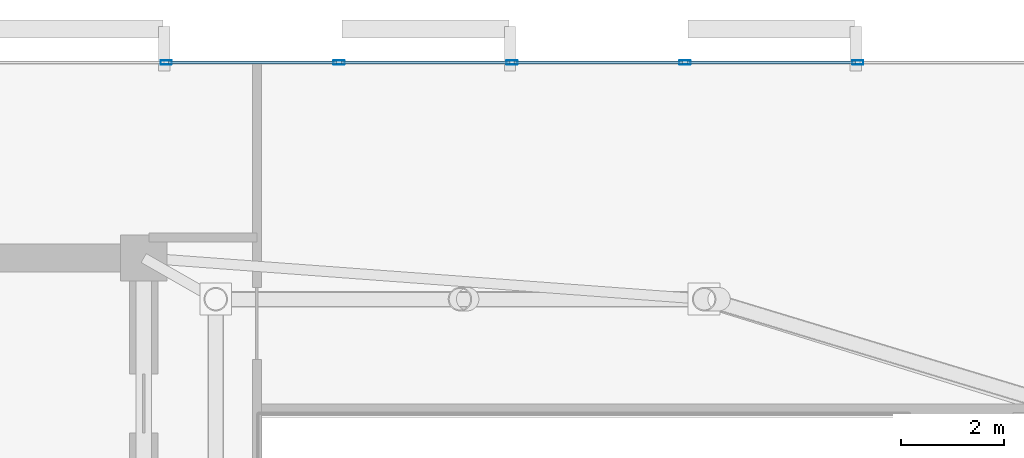
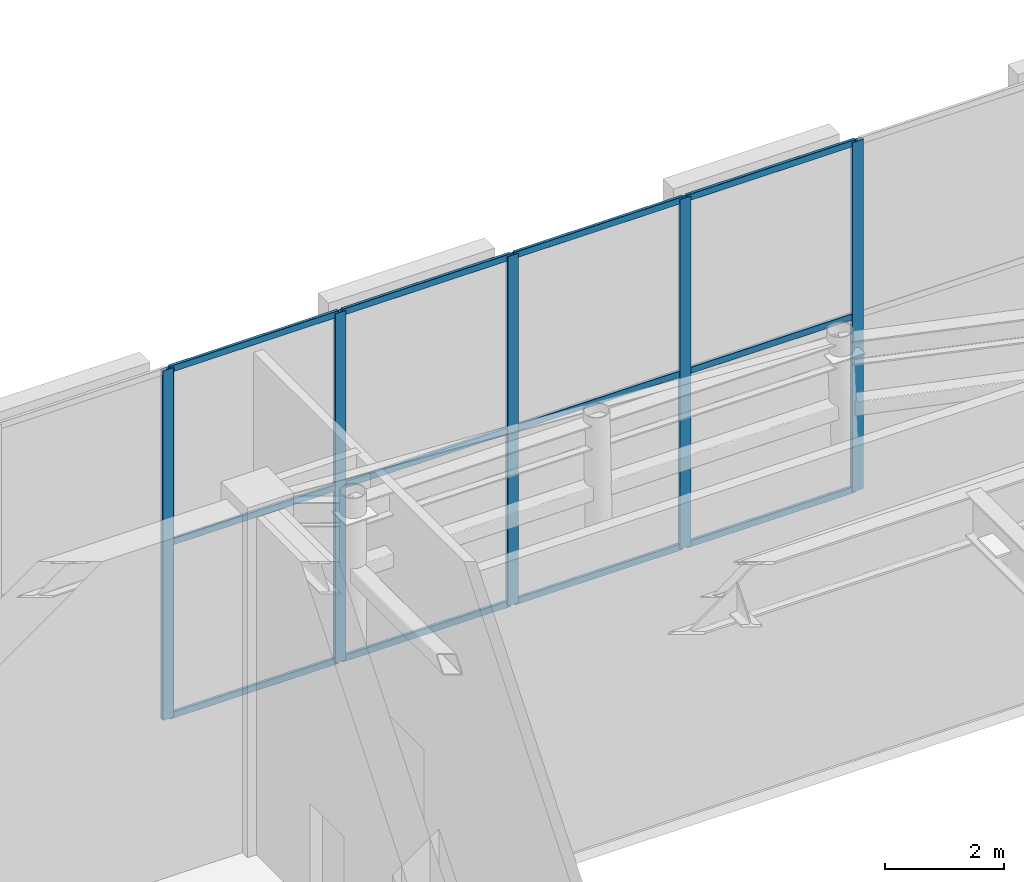
# One storey, part 10 of 20: 17 members, 1 element without a shape of its own.
"""IFC4 building model written with IfcOpenShell, lengths in metres."""

from ifc_helpers import new_model, si_unit, direction, frame, origin, origin_2d, place, context, subcontext, project, spatial, hollow_rectangle, extrude, material, layer, layer_set, material_profile, profile_set, type_object, element, aggregate, save


model = new_model("IFC4")

# Units and contexts
model_context = context("Model", 3, precision=1e-05, world=origin(), true_north=direction((0.0, 1.0)))
body_context = subcontext(model_context, "Body", "Model", "MODEL_VIEW")
ifc_project = project(units=[si_unit("LENGTHUNIT", "METRE"), si_unit("AREAUNIT", "SQUARE_METRE"), si_unit("VOLUMEUNIT", "CUBIC_METRE"), si_unit("PLANEANGLEUNIT", "RADIAN"), si_unit("MASSUNIT", "GRAM", prefix="KILO")], contexts=[model_context])

# Site, building, storey
site_placement = place(None, origin())
site = spatial("IfcSite", under=ifc_project, at=site_placement, CompositionType="ELEMENT")
building_placement = place(site_placement, origin())
building = spatial("IfcBuilding", under=site, at=building_placement, Name="An Khanh Terracotta Commons", CompositionType="ELEMENT")
storey_placement = place(building_placement, frame((0.0, 0.0, 308.0)))
storey = spatial("IfcBuildingStorey", under=building, at=storey_placement, Name="L79 Crown Damper Gallery", CompositionType="ELEMENT", Elevation=308.0)

# Curtain wall, members
ifc_material = material(Name="Anodised Aluminium 6063-T6", Category="aluminium")
ifc_layer = layer(ifc_material, 0.25, Name="Anodised Aluminium 6063-T6")
ifc_layer_set = layer_set([ifc_layer], Name="Anodised Aluminium 6063-T6")
curtain_wall_type = type_object("IfcCurtainWallType", Name="CW-SYS-05", PredefinedType="USERDEFINED", material=ifc_layer_set)
curtain_wall_placement = place(storey_placement, origin())
curtain_wall = element("IfcCurtainWall", 1, at=curtain_wall_placement, inside=storey, type_object=curtain_wall_type, Name="L79 Crown Damper Gallery CW-05 Unitised Curtain Wall CW-L79-20", ObjectType="UNITISED CURTAIN WALL", PredefinedType="USERDEFINED")
ifc_material_profile_1 = material_profile(ifc_material, hollow_rectangle(XDim=0.080078125, YDim=0.219970703125, WallThickness=0.0048828125, InnerFilletRadius=0.0048828125, OuterFilletRadius=0.010009765625, at=origin_2d()), Name="RHS220x80x5")
ifc_profile_set_1 = profile_set([ifc_material_profile_1], Name="Anodised Aluminium 6063-T6")
member_type_1 = type_object("IfcMemberType", Name="CWM-RHS220x80x5", PredefinedType="MULLION", material=ifc_profile_set_1)
member_1_placement = place(storey_placement, frame((51.0751953125, 37.39990234375, 0.0), z_axis=(0.0, 0.0, 1.0), x_axis=(0.0, -1.0, 0.0)))
member_1 = element("IfcMember", 2, at=member_1_placement, type_object=member_type_1, Name="CW-05 mullion 3", PredefinedType="MULLION", context=body_context, shape_type="SweptSolid", body=[
    extrude(hollow_rectangle(XDim=0.080078125, YDim=0.219970703125, WallThickness=0.0048828125, InnerFilletRadius=0.0048828125, OuterFilletRadius=0.010009765625, at=origin_2d()), origin(), (0.0, 0.0, 1.0), 7.199951171875),
])
member_2_placement = place(storey_placement, frame((47.7158203125, 37.39990234375, 0.0), z_axis=(0.0, 0.0, 1.0), x_axis=(0.0, -1.0, 0.0)))
member_2 = element("IfcMember", 3, at=member_2_placement, type_object=member_type_1, Name="CW-05 mullion 4", PredefinedType="MULLION", context=body_context, shape_type="SweptSolid", body=[
    extrude(hollow_rectangle(XDim=0.080078125, YDim=0.219970703125, WallThickness=0.0048828125, InnerFilletRadius=0.0048828125, OuterFilletRadius=0.010009765625, at=origin_2d()), origin(), (0.0, 0.0, 1.0), 7.199951171875),
])
member_3_placement = place(storey_placement, frame((44.3564453125, 37.39990234375, 0.0), z_axis=(0.0, 0.0, 1.0), x_axis=(0.0, -1.0, 0.0)))
member_3 = element("IfcMember", 4, at=member_3_placement, type_object=member_type_1, Name="CW-05 mullion 5", PredefinedType="MULLION", context=body_context, shape_type="SweptSolid", body=[
    extrude(hollow_rectangle(XDim=0.080078125, YDim=0.219970703125, WallThickness=0.0048828125, InnerFilletRadius=0.0048828125, OuterFilletRadius=0.010009765625, at=origin_2d()), origin(), (0.0, 0.0, 1.0), 7.199951171875),
])
member_4_placement = place(storey_placement, frame((40.9970703125, 37.39990234375, 0.0), z_axis=(0.0, 0.0, 1.0), x_axis=(0.0, -1.0, 0.0)))
member_4 = element("IfcMember", 5, at=member_4_placement, type_object=member_type_1, Name="CW-05 mullion 6", PredefinedType="MULLION", context=body_context, shape_type="SweptSolid", body=[
    extrude(hollow_rectangle(XDim=0.080078125, YDim=0.219970703125, WallThickness=0.0048828125, InnerFilletRadius=0.0048828125, OuterFilletRadius=0.010009765625, at=origin_2d()), origin(), (0.0, 0.0, 1.0), 7.199951171875),
])
member_5_placement = place(storey_placement, frame((37.6376953125, 37.39990234375, 0.0), z_axis=(0.0, 0.0, 1.0), x_axis=(0.0, -1.0, 0.0)))
member_5 = element("IfcMember", 6, at=member_5_placement, type_object=member_type_1, Name="CW-05 mullion 7", PredefinedType="MULLION", context=body_context, shape_type="SweptSolid", body=[
    extrude(hollow_rectangle(XDim=0.080078125, YDim=0.219970703125, WallThickness=0.0048828125, InnerFilletRadius=0.0048828125, OuterFilletRadius=0.010009765625, at=origin_2d()), origin(), (0.0, 0.0, 1.0), 7.199951171875),
])
ifc_material_profile_2 = material_profile(ifc_material, hollow_rectangle(XDim=0.06005859375, YDim=0.135009765625, WallThickness=0.003662109375, InnerFilletRadius=0.003662109375, OuterFilletRadius=0.007080078125, at=origin_2d()), Name="RHS135x60x3.6")
ifc_profile_set_2 = profile_set([ifc_material_profile_2], Name="Anodised Aluminium 6063-T6")
member_type_2 = type_object("IfcMemberType", Name="CWT-RHS135x60x3.6", PredefinedType="USERDEFINED", material=ifc_profile_set_2)
member_6_placement = place(storey_placement, frame((51.03515625, 37.39990234375, 0.030029296875), z_axis=(-1.0, 0.0, 0.0), x_axis=(0.0, -1.0, 0.0)))
member_6 = element("IfcMember", 7, at=member_6_placement, type_object=member_type_2, Name="CW-05 transom 3.1", ObjectType="TRANSOM", PredefinedType="USERDEFINED", context=body_context, shape_type="SweptSolid", body=[
    extrude(hollow_rectangle(XDim=0.06005859375, YDim=0.135009765625, WallThickness=0.003662109375, InnerFilletRadius=0.003662109375, OuterFilletRadius=0.007080078125, at=origin_2d()), origin(), (0.0, 0.0, 1.0), 3.279296875),
])
member_7_placement = place(storey_placement, frame((51.03515625, 37.39990234375, 3.60009765625), z_axis=(-1.0, 0.0, 0.0), x_axis=(0.0, -1.0, 0.0)))
member_7 = element("IfcMember", 8, at=member_7_placement, type_object=member_type_2, Name="CW-05 transom 3.2", ObjectType="TRANSOM", PredefinedType="USERDEFINED", context=body_context, shape_type="SweptSolid", body=[
    extrude(hollow_rectangle(XDim=0.06005859375, YDim=0.135009765625, WallThickness=0.003662109375, InnerFilletRadius=0.003662109375, OuterFilletRadius=0.007080078125, at=origin_2d()), origin(), (0.0, 0.0, 1.0), 3.279296875),
])
member_8_placement = place(storey_placement, frame((51.03515625, 37.39990234375, 7.169921875), z_axis=(-1.0, 0.0, 0.0), x_axis=(0.0, -1.0, 0.0)))
member_8 = element("IfcMember", 9, at=member_8_placement, type_object=member_type_2, Name="CW-05 transom 3.3", ObjectType="TRANSOM", PredefinedType="USERDEFINED", context=body_context, shape_type="SweptSolid", body=[
    extrude(hollow_rectangle(XDim=0.06005859375, YDim=0.135009765625, WallThickness=0.003662109375, InnerFilletRadius=0.003662109375, OuterFilletRadius=0.007080078125, at=origin_2d()), origin(), (0.0, 0.0, 1.0), 3.279296875),
])
member_9_placement = place(storey_placement, frame((47.67578125, 37.39990234375, 0.030029296875), z_axis=(-1.0, 0.0, 0.0), x_axis=(0.0, -1.0, 0.0)))
member_9 = element("IfcMember", 10, at=member_9_placement, type_object=member_type_2, Name="CW-05 transom 4.1", ObjectType="TRANSOM", PredefinedType="USERDEFINED", context=body_context, shape_type="SweptSolid", body=[
    extrude(hollow_rectangle(XDim=0.06005859375, YDim=0.135009765625, WallThickness=0.003662109375, InnerFilletRadius=0.003662109375, OuterFilletRadius=0.007080078125, at=origin_2d()), origin(), (0.0, 0.0, 1.0), 3.279296875),
])
member_10_placement = place(storey_placement, frame((47.67578125, 37.39990234375, 3.60009765625), z_axis=(-1.0, 0.0, 0.0), x_axis=(0.0, -1.0, 0.0)))
member_10 = element("IfcMember", 11, at=member_10_placement, type_object=member_type_2, Name="CW-05 transom 4.2", ObjectType="TRANSOM", PredefinedType="USERDEFINED", context=body_context, shape_type="SweptSolid", body=[
    extrude(hollow_rectangle(XDim=0.06005859375, YDim=0.135009765625, WallThickness=0.003662109375, InnerFilletRadius=0.003662109375, OuterFilletRadius=0.007080078125, at=origin_2d()), origin(), (0.0, 0.0, 1.0), 3.279296875),
])
member_11_placement = place(storey_placement, frame((47.67578125, 37.39990234375, 7.169921875), z_axis=(-1.0, 0.0, 0.0), x_axis=(0.0, -1.0, 0.0)))
member_11 = element("IfcMember", 12, at=member_11_placement, type_object=member_type_2, Name="CW-05 transom 4.3", ObjectType="TRANSOM", PredefinedType="USERDEFINED", context=body_context, shape_type="SweptSolid", body=[
    extrude(hollow_rectangle(XDim=0.06005859375, YDim=0.135009765625, WallThickness=0.003662109375, InnerFilletRadius=0.003662109375, OuterFilletRadius=0.007080078125, at=origin_2d()), origin(), (0.0, 0.0, 1.0), 3.279296875),
])
member_12_placement = place(storey_placement, frame((44.31640625, 37.39990234375, 0.030029296875), z_axis=(-1.0, 0.0, 0.0), x_axis=(0.0, -1.0, 0.0)))
member_12 = element("IfcMember", 13, at=member_12_placement, type_object=member_type_2, Name="CW-05 transom 5.1", ObjectType="TRANSOM", PredefinedType="USERDEFINED", context=body_context, shape_type="SweptSolid", body=[
    extrude(hollow_rectangle(XDim=0.06005859375, YDim=0.135009765625, WallThickness=0.003662109375, InnerFilletRadius=0.003662109375, OuterFilletRadius=0.007080078125, at=origin_2d()), origin(), (0.0, 0.0, 1.0), 3.279296875),
])
member_13_placement = place(storey_placement, frame((44.31640625, 37.39990234375, 3.60009765625), z_axis=(-1.0, 0.0, 0.0), x_axis=(0.0, -1.0, 0.0)))
member_13 = element("IfcMember", 14, at=member_13_placement, type_object=member_type_2, Name="CW-05 transom 5.2", ObjectType="TRANSOM", PredefinedType="USERDEFINED", context=body_context, shape_type="SweptSolid", body=[
    extrude(hollow_rectangle(XDim=0.06005859375, YDim=0.135009765625, WallThickness=0.003662109375, InnerFilletRadius=0.003662109375, OuterFilletRadius=0.007080078125, at=origin_2d()), origin(), (0.0, 0.0, 1.0), 3.279296875),
])
member_14_placement = place(storey_placement, frame((44.31640625, 37.39990234375, 7.169921875), z_axis=(-1.0, 0.0, 0.0), x_axis=(0.0, -1.0, 0.0)))
member_14 = element("IfcMember", 15, at=member_14_placement, type_object=member_type_2, Name="CW-05 transom 5.3", ObjectType="TRANSOM", PredefinedType="USERDEFINED", context=body_context, shape_type="SweptSolid", body=[
    extrude(hollow_rectangle(XDim=0.06005859375, YDim=0.135009765625, WallThickness=0.003662109375, InnerFilletRadius=0.003662109375, OuterFilletRadius=0.007080078125, at=origin_2d()), origin(), (0.0, 0.0, 1.0), 3.279296875),
])
member_15_placement = place(storey_placement, frame((40.95703125, 37.39990234375, 0.030029296875), z_axis=(-1.0, 0.0, 0.0), x_axis=(0.0, -1.0, 0.0)))
member_15 = element("IfcMember", 16, at=member_15_placement, type_object=member_type_2, Name="CW-05 transom 6.1", ObjectType="TRANSOM", PredefinedType="USERDEFINED", context=body_context, shape_type="SweptSolid", body=[
    extrude(hollow_rectangle(XDim=0.06005859375, YDim=0.135009765625, WallThickness=0.003662109375, InnerFilletRadius=0.003662109375, OuterFilletRadius=0.007080078125, at=origin_2d()), origin(), (0.0, 0.0, 1.0), 3.279541015625),
])
member_16_placement = place(storey_placement, frame((40.95703125, 37.39990234375, 3.60009765625), z_axis=(-1.0, 0.0, 0.0), x_axis=(0.0, -1.0, 0.0)))
member_16 = element("IfcMember", 17, at=member_16_placement, type_object=member_type_2, Name="CW-05 transom 6.2", ObjectType="TRANSOM", PredefinedType="USERDEFINED", context=body_context, shape_type="SweptSolid", body=[
    extrude(hollow_rectangle(XDim=0.06005859375, YDim=0.135009765625, WallThickness=0.003662109375, InnerFilletRadius=0.003662109375, OuterFilletRadius=0.007080078125, at=origin_2d()), origin(), (0.0, 0.0, 1.0), 3.279541015625),
])
member_17_placement = place(storey_placement, frame((40.95703125, 37.39990234375, 7.169921875), z_axis=(-1.0, 0.0, 0.0), x_axis=(0.0, -1.0, 0.0)))
member_17 = element("IfcMember", 18, at=member_17_placement, type_object=member_type_2, Name="CW-05 transom 6.3", ObjectType="TRANSOM", PredefinedType="USERDEFINED", context=body_context, shape_type="SweptSolid", body=[
    extrude(hollow_rectangle(XDim=0.06005859375, YDim=0.135009765625, WallThickness=0.003662109375, InnerFilletRadius=0.003662109375, OuterFilletRadius=0.007080078125, at=origin_2d()), origin(), (0.0, 0.0, 1.0), 3.279541015625),
])
aggregate(curtain_wall, [member_1, member_2, member_3, member_4, member_5, member_6, member_7, member_8, member_9, member_10, member_11, member_12, member_13, member_14, member_15, member_16, member_17])

save(model, "model.ifc")
